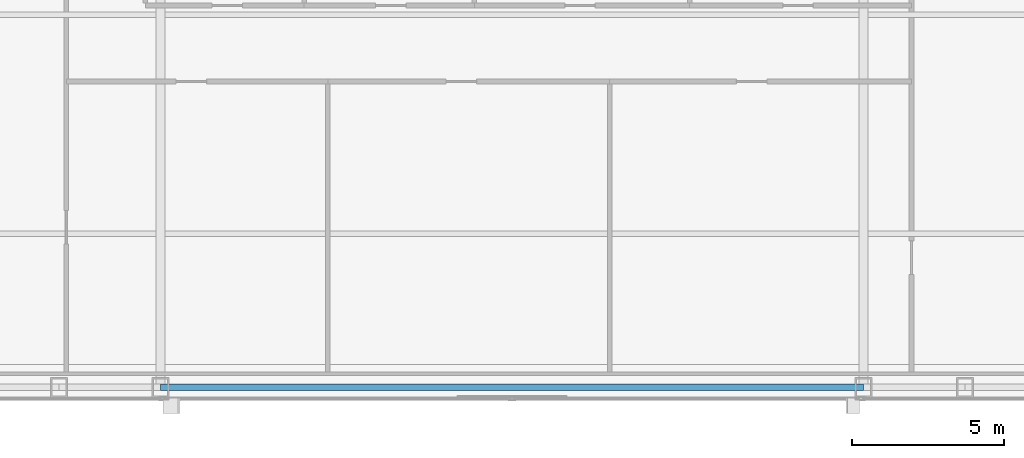
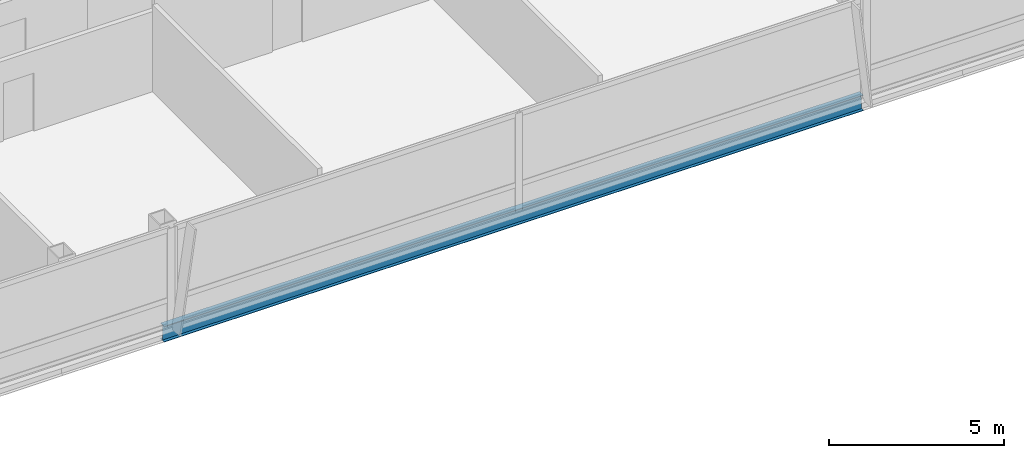
# One storey, part 8 of 29: 1 beam.
"""IFC4 building model written with IfcOpenShell, lengths in metres."""

from ifc_helpers import new_model, si_unit, direction, frame, origin, origin_2d, place, context, subcontext, project, spatial, i_section, extrude, material, material_profile, profile_set, type_object, element, save


model = new_model("IFC4")

# Units and contexts
model_context = context("Model", 3, precision=1e-05, world=origin(), true_north=direction((0.0, 1.0)))
body_context = subcontext(model_context, "Body", "Model", "MODEL_VIEW")
ifc_project = project(units=[si_unit("LENGTHUNIT", "METRE"), si_unit("AREAUNIT", "SQUARE_METRE"), si_unit("VOLUMEUNIT", "CUBIC_METRE"), si_unit("PLANEANGLEUNIT", "RADIAN"), si_unit("MASSUNIT", "GRAM", prefix="KILO")], contexts=[model_context])

# Site, building, storey
site_placement = place(None, origin())
site = spatial("IfcSite", under=ifc_project, at=site_placement, CompositionType="ELEMENT")
building_placement = place(site_placement, origin())
building = spatial("IfcBuilding", under=site, at=building_placement, Name="Khoronbel Lancet Exchange", CompositionType="ELEMENT")
storey_placement = place(building_placement, frame((0.0, 0.0, 329.0)))
storey = spatial("IfcBuildingStorey", under=building, at=storey_placement, Name="L85", CompositionType="ELEMENT", Elevation=329.0)

# Beam
ifc_material = material(Name="Steel S355", Category="steel")
ifc_material_profile = material_profile(ifc_material, i_section(OverallWidth=0.2099609375, OverallDepth=0.550048828125, WebThickness=0.010986328125, FlangeThickness=0.01708984375, at=origin_2d()), Name="IPE 550")
ifc_profile_set = profile_set([ifc_material_profile], Name="Steel S355")
beam_type = type_object("IfcBeamType", Name="BM-BSP3", PredefinedType="SPANDREL", material=ifc_profile_set)
beam_placement = place(storey_placement, frame((24.89990234375, 10.14990234375, -0.43505859375), z_axis=(1.0, 0.0, 0.0), x_axis=(0.0, 1.0, 0.0)))
element("IfcBeam", 1, at=beam_placement, inside=storey, type_object=beam_type, Name="Level L85 perimeter spandrel beam SP04", PredefinedType="SPANDREL", context=body_context, shape_type="SweptSolid", body=[
    extrude(i_section(OverallWidth=0.2099609375, OverallDepth=0.550048828125, WebThickness=0.010986328125, FlangeThickness=0.01708984375, at=origin_2d()), origin(), (0.0, 0.0, 1.0), 23.10009765625),
])

save(model, "model.ifc")
